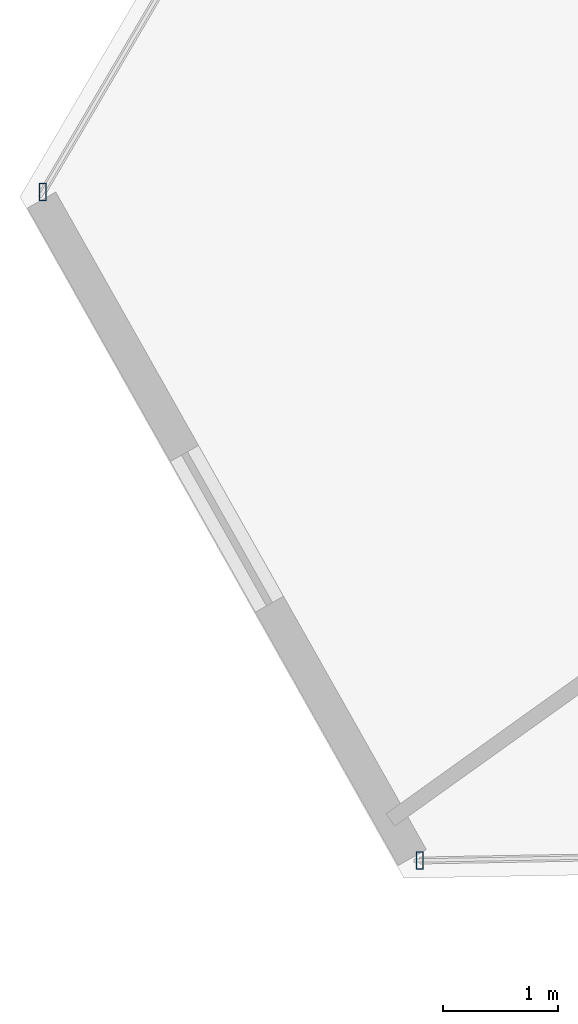
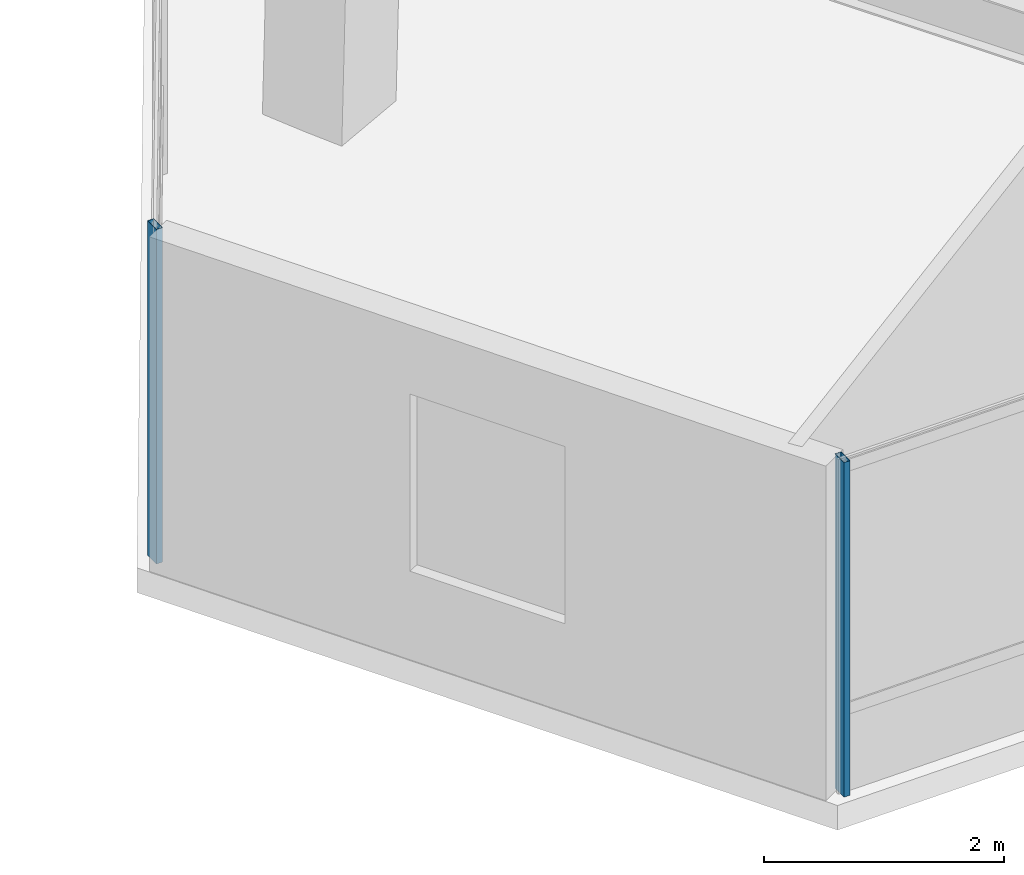
# One storey, part 3 of 42: 2 members, 2 elements without a shape of their own.
"""IFC4 building model written with IfcOpenShell, lengths in metres."""

from ifc_helpers import new_model, si_unit, direction, frame, origin, origin_2d, place, context, subcontext, project, spatial, hollow_rectangle, extrude, source, transform, mapped, material, material_profile, profile_set, type_object, type_shapes, element, aggregate, save


model = new_model("IFC4")

# Units and contexts
model_context = context("Model", 3, precision=1e-05, world=origin(), true_north=direction((0.0, 1.0)))
body_context = subcontext(model_context, "Body", "Model", "MODEL_VIEW")
ifc_project = project(units=[si_unit("LENGTHUNIT", "METRE"), si_unit("AREAUNIT", "SQUARE_METRE"), si_unit("VOLUMEUNIT", "CUBIC_METRE"), si_unit("PLANEANGLEUNIT", "RADIAN"), si_unit("MASSUNIT", "GRAM", prefix="KILO")], contexts=[model_context])

# Site, building, storey
site_placement = place(None, origin())
site = spatial("IfcSite", under=ifc_project, at=site_placement, CompositionType="ELEMENT")
building_placement = place(site_placement, origin())
building = spatial("IfcBuilding", under=site, at=building_placement, Name="Caelisora Broadcast Tower", CompositionType="ELEMENT")
storey_placement = place(building_placement, frame((0.0, 0.0, 191.35009765625)))
storey = spatial("IfcBuildingStorey", under=building, at=storey_placement, Name="L50", CompositionType="ELEMENT", Elevation=191.35009765625)

# Curtain wall, member
ifc_material_1 = material(Name="Unitised Aluminium and Low-E Glass Curtain Wall", Category="glass")
curtain_wall_type = type_object("IfcCurtainWallType", Name="CW-Z4", PredefinedType="NOTDEFINED", material=ifc_material_1)
curtain_wall_1_placement = place(storey_placement, origin())
curtain_wall_1 = element("IfcCurtainWall", 1, at=curtain_wall_1_placement, inside=storey, type_object=curtain_wall_type, Name="L50 curtain wall CW-Z4", PredefinedType="NOTDEFINED")
ifc_material_2 = material(Name="Aluminium 6063-T6 Anodised Terracotta Bronze", Category="aluminium")
ifc_material_profile = material_profile(ifc_material_2, hollow_rectangle(XDim=0.06005859375, YDim=0.14990234375, WallThickness=0.00341796875, at=origin_2d()), Name="Aluminium 6063-T6 Anodised Terracotta Bronze")
ifc_profile_set = profile_set([ifc_material_profile], Name="Aluminium 6063-T6 Anodised Terracotta Bronze")
member_type = type_object("IfcMemberType", Name="CWM-03", PredefinedType="MULLION", material=ifc_profile_set)
shared_shape = source(origin(), body_context, "Body", "SweptSolid", [
    extrude(hollow_rectangle(XDim=0.06005859375, YDim=0.14990234375, WallThickness=0.00341796875, at=origin_2d()), origin(), (0.0, 0.0, 1.0), 3.39990234375),
])
type_shapes(member_type, [shared_shape])
member_1_placement = place(storey_placement, frame((14.5009765625, 6.663818359375, 0.0), z_axis=(0.0, 0.0, 1.0), x_axis=(1.0, 0.0, 0.0)))
member_1 = element("IfcMember", 2, at=member_1_placement, type_object=member_type, Name="L50-CW-B07 mullion #3", PredefinedType="MULLION", context=body_context, shape_type="MappedRepresentation", body=[
    mapped(shared_shape, transform((0.0, 0.0, 0.0), scale=1.0)),
])
aggregate(curtain_wall_1, [member_1])

curtain_wall_2_placement = place(storey_placement, origin())
curtain_wall_2 = element("IfcCurtainWall", 3, at=curtain_wall_2_placement, inside=storey, type_object=curtain_wall_type, Name="L50 curtain wall CW-Z4", PredefinedType="NOTDEFINED")
member_2_placement = place(storey_placement, frame((11.2353515625, 12.4560546875, 0.0), z_axis=(0.0, 0.0, 1.0), x_axis=(1.0, 0.0, 0.0)))
member_2 = element("IfcMember", 4, at=member_2_placement, type_object=member_type, Name="L50-CW-B09 mullion #0", PredefinedType="MULLION", context=body_context, shape_type="MappedRepresentation", body=[
    mapped(shared_shape, transform((0.0, 0.0, 0.0), scale=1.0)),
])
aggregate(curtain_wall_2, [member_2])

save(model, "model.ifc")
